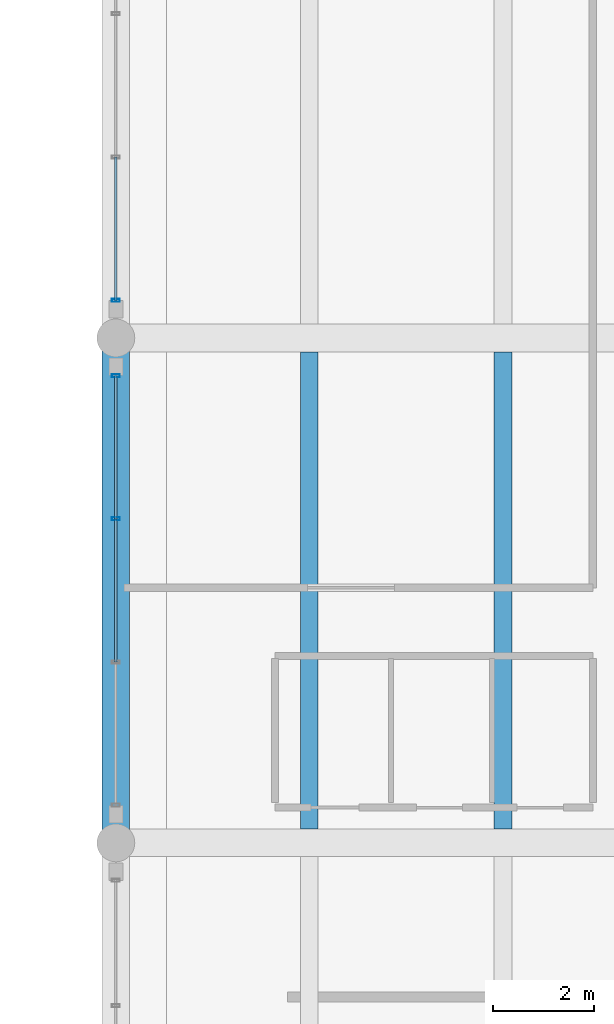
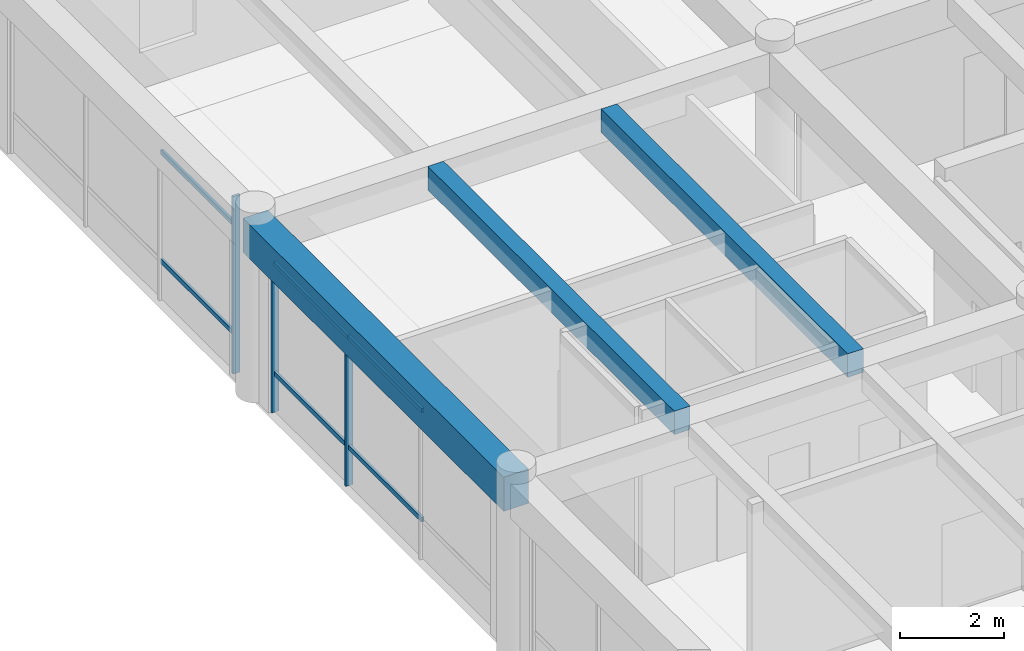
# One storey, part 6 of 27: 9 members, 3 beams, 2 elements without a shape of their own.
"""IFC4 building model written with IfcOpenShell, lengths in metres."""

from ifc_helpers import new_model, si_unit, direction, frame, origin, origin_2d, place, context, subcontext, project, spatial, rectangle, hollow_rectangle, extrude, material, material_profile, profile_set, type_object, element, aggregate, save


model = new_model("IFC4")

# Units and contexts
model_context = context("Model", 3, precision=1e-05, world=origin(), true_north=direction((0.0, 1.0)))
body_context = subcontext(model_context, "Body", "Model", "MODEL_VIEW")
ifc_project = project(units=[si_unit("LENGTHUNIT", "METRE"), si_unit("AREAUNIT", "SQUARE_METRE"), si_unit("VOLUMEUNIT", "CUBIC_METRE"), si_unit("PLANEANGLEUNIT", "RADIAN"), si_unit("MASSUNIT", "GRAM", prefix="KILO")], contexts=[model_context])

# Site, building, storey
site_placement = place(None, origin())
site = spatial("IfcSite", under=ifc_project, at=site_placement, CompositionType="ELEMENT")
building_placement = place(site_placement, origin())
building = spatial("IfcBuilding", under=site, at=building_placement, Name="Ologun Quay Terminus", CompositionType="ELEMENT")
storey_placement = place(building_placement, frame((0.0, 0.0, 22.4599609375)))
storey = spatial("IfcBuildingStorey", under=building, at=storey_placement, Name="L05", CompositionType="ELEMENT", Elevation=22.4599609375)

# Curtain wall, members
ifc_material_1 = material(Name="Aluminium 6063-T6", Category="aluminium")
curtain_wall_type = type_object("IfcCurtainWallType", Name="Operations Wing Canteen Curtain Wall L05 10600x4050", PredefinedType="USERDEFINED", material=ifc_material_1)
curtain_wall_1_placement = place(storey_placement, origin())
curtain_wall_1 = element("IfcCurtainWall", 1, at=curtain_wall_1_placement, inside=storey, type_object=curtain_wall_type, Name="CW-28 Curtain Wall CW-L05-157", ObjectType="UNITISED CURTAIN WALL", PredefinedType="USERDEFINED")
ifc_material_2 = material(Name="Aluminium 6063-T6", Category="aluminium")
ifc_material_profile_1 = material_profile(ifc_material_2, hollow_rectangle(XDim=0.06005859375, YDim=0.159912109375, WallThickness=0.00390625, at=origin_2d()), Name="ALU 160x60x4")
ifc_profile_set_1 = profile_set([ifc_material_profile_1], Name="Aluminium 6063-T6")
member_type_1 = type_object("IfcMemberType", Name="Courtyard Screen Mullion 160x65", PredefinedType="MULLION", material=ifc_profile_set_1)
member_1_placement = place(storey_placement, frame((115.0, 101.21826171875, 0.0), z_axis=(0.0, 0.0, 1.0), x_axis=(0.0, 1.0, 0.0)))
member_1 = element("IfcMember", 2, at=member_1_placement, type_object=member_type_1, Name="CW-L05-157 Mullion 3", PredefinedType="MULLION", context=body_context, shape_type="SweptSolid", body=[
    extrude(hollow_rectangle(XDim=0.06005859375, YDim=0.159912109375, WallThickness=0.00390625, at=origin_2d()), origin(), (0.0, 0.0, 1.0), 4.150146484375),
])
member_2_placement = place(storey_placement, frame((115.0, 104.054931640625, 0.0), z_axis=(0.0, 0.0, 1.0), x_axis=(0.0, 1.0, 0.0)))
member_2 = element("IfcMember", 3, at=member_2_placement, type_object=member_type_1, Name="CW-L05-157 Mullion 4", PredefinedType="MULLION", context=body_context, shape_type="SweptSolid", body=[
    extrude(hollow_rectangle(XDim=0.06005859375, YDim=0.159912109375, WallThickness=0.00390625, at=origin_2d()), origin(), (0.0, 0.0, 1.0), 4.150146484375),
])

# Curtain wall, member
curtain_wall_2_placement = place(storey_placement, origin())
curtain_wall_2 = element("IfcCurtainWall", 4, at=curtain_wall_2_placement, inside=storey, type_object=curtain_wall_type, Name="CW-28 Curtain Wall CW-L05-158", ObjectType="UNITISED CURTAIN WALL", PredefinedType="USERDEFINED")
member_3_placement = place(storey_placement, frame((115.0, 105.544921875, 0.0), z_axis=(0.0, 0.0, 1.0), x_axis=(0.0, 1.0, 0.0)))
member_3 = element("IfcMember", 5, at=member_3_placement, type_object=member_type_1, Name="CW-L05-158 Mullion 1", PredefinedType="MULLION", context=body_context, shape_type="SweptSolid", body=[
    extrude(hollow_rectangle(XDim=0.06005859375, YDim=0.159912109375, WallThickness=0.00390625, at=origin_2d()), origin(), (0.0, 0.0, 1.0), 4.150146484375),
])

# Member
ifc_material_3 = material(Name="Aluminium 6063-T6", Category="aluminium")
ifc_material_profile_2 = material_profile(ifc_material_3, hollow_rectangle(XDim=0.054931640625, YDim=0.110107421875, WallThickness=0.00390625, at=origin_2d()), Name="ALU 110x55x4")
ifc_profile_set_2 = profile_set([ifc_material_profile_2], Name="Aluminium 6063-T6")
member_type_2 = type_object("IfcMemberType", Name="Courtyard Screen Transom 110x55", PredefinedType="USERDEFINED", material=ifc_profile_set_2)
member_4_placement = place(storey_placement, frame((115.0, 98.381591796875, 0.900146484375), z_axis=(0.0, 1.0, 0.0), x_axis=(-1.0, 0.0, 0.0)))
member_4 = element("IfcMember", 6, at=member_4_placement, type_object=member_type_2, Name="CW-L05-157 Transom B2-1", ObjectType="TRANSOM", PredefinedType="USERDEFINED", context=body_context, shape_type="SweptSolid", body=[
    extrude(hollow_rectangle(XDim=0.054931640625, YDim=0.110107421875, WallThickness=0.00390625, at=origin_2d()), origin(), (0.0, 0.0, 1.0), 2.836669921875),
])

member_5_placement = place(storey_placement, frame((115.0, 98.381591796875, 3.449951171875), z_axis=(0.0, 1.0, 0.0), x_axis=(-1.0, 0.0, 0.0)))
member_5 = element("IfcMember", 7, at=member_5_placement, type_object=member_type_2, Name="CW-L05-157 Transom B2-2", ObjectType="TRANSOM", PredefinedType="USERDEFINED", context=body_context, shape_type="SweptSolid", body=[
    extrude(hollow_rectangle(XDim=0.054931640625, YDim=0.110107421875, WallThickness=0.00390625, at=origin_2d()), origin(), (0.0, 0.0, 1.0), 2.836669921875),
])

member_6_placement = place(storey_placement, frame((115.0, 101.21826171875, 0.900146484375), z_axis=(0.0, 1.0, 0.0), x_axis=(-1.0, 0.0, 0.0)))
member_6 = element("IfcMember", 8, at=member_6_placement, type_object=member_type_2, Name="CW-L05-157 Transom B3-1", ObjectType="TRANSOM", PredefinedType="USERDEFINED", context=body_context, shape_type="SweptSolid", body=[
    extrude(hollow_rectangle(XDim=0.054931640625, YDim=0.110107421875, WallThickness=0.00390625, at=origin_2d()), origin(), (0.0, 0.0, 1.0), 2.836669921875),
])

member_7_placement = place(storey_placement, frame((115.0, 101.21826171875, 3.449951171875), z_axis=(0.0, 1.0, 0.0), x_axis=(-1.0, 0.0, 0.0)))
member_7 = element("IfcMember", 9, at=member_7_placement, type_object=member_type_2, Name="CW-L05-157 Transom B3-2", ObjectType="TRANSOM", PredefinedType="USERDEFINED", context=body_context, shape_type="SweptSolid", body=[
    extrude(hollow_rectangle(XDim=0.054931640625, YDim=0.110107421875, WallThickness=0.00390625, at=origin_2d()), origin(), (0.0, 0.0, 1.0), 2.836669921875),
])

aggregate(curtain_wall_1, [member_1, member_2, member_4, member_5, member_6, member_7])

member_8_placement = place(storey_placement, frame((115.0, 105.544921875, 0.900146484375), z_axis=(0.0, 1.0, 0.0), x_axis=(-1.0, 0.0, 0.0)))
member_8 = element("IfcMember", 10, at=member_8_placement, type_object=member_type_2, Name="CW-L05-158 Transom B1-1", ObjectType="TRANSOM", PredefinedType="USERDEFINED", context=body_context, shape_type="SweptSolid", body=[
    extrude(hollow_rectangle(XDim=0.054931640625, YDim=0.110107421875, WallThickness=0.00390625, at=origin_2d()), origin(), (0.0, 0.0, 1.0), 2.836669921875),
])

member_9_placement = place(storey_placement, frame((115.0, 105.544921875, 3.449951171875), z_axis=(0.0, 1.0, 0.0), x_axis=(-1.0, 0.0, 0.0)))
member_9 = element("IfcMember", 11, at=member_9_placement, type_object=member_type_2, Name="CW-L05-158 Transom B1-2", ObjectType="TRANSOM", PredefinedType="USERDEFINED", context=body_context, shape_type="SweptSolid", body=[
    extrude(hollow_rectangle(XDim=0.054931640625, YDim=0.110107421875, WallThickness=0.00390625, at=origin_2d()), origin(), (0.0, 0.0, 1.0), 2.836669921875),
])

aggregate(curtain_wall_2, [member_3, member_8, member_9])

# Beams
ifc_material_4 = material(Name="Concrete C40/50", Category="concrete")
ifc_material_profile_3 = material_profile(ifc_material_4, rectangle(XDim=0.550048828125, YDim=0.800048828125, at=origin_2d()), Name="RC 550x800")
ifc_profile_set_3 = profile_set([ifc_material_profile_3], Name="Concrete C40/50")
beam_type_1 = type_object("IfcBeamType", Name="Courtyard Wing Primary Girder 550x800", PredefinedType="BEAM", material=ifc_profile_set_3)
beam_placement = place(storey_placement, frame((115.0, 94.800048828125, 3.760009765625), z_axis=(0.0, 1.0, 0.0), x_axis=(-1.0, 0.0, 0.0)))
element("IfcBeam", 12, at=beam_placement, inside=storey, type_object=beam_type_1, Name="B4 Beam 11/H L05", PredefinedType="BEAM", context=body_context, shape_type="SweptSolid", body=[
    extrude(rectangle(XDim=0.550048828125, YDim=0.800048828125, at=origin_2d()), origin(), (0.0, 0.0, 1.0), 10.0),
])
ifc_material_5 = material(Name="Concrete C40/50", Category="concrete")
ifc_material_profile_4 = material_profile(ifc_material_5, rectangle(XDim=0.35009765625, YDim=0.550048828125, at=origin_2d()), Name="RC 350x550")
ifc_profile_set_4 = profile_set([ifc_material_profile_4], Name="Concrete C40/50")
beam_type_2 = type_object("IfcBeamType", Name="Courtyard Wing Secondary Joist 350x550", PredefinedType="JOIST", material=ifc_profile_set_4)
for number, where, z_axis, x_axis, name in (
    (13, (118.833251953125, 95.074951171875, 3.885009765625), (0.0, 1.0, 0.0), (-1.0, 0.0, 0.0), "J2 Beam 11/H L05"),
    (14, (122.666748046875, 95.074951171875, 3.885009765625), (0.0, 1.0, 0.0), (-1.0, 0.0, 0.0), "J2 Beam 11/H L05"),
):
    element("IfcBeam", number, at=place(storey_placement, frame(where, z_axis=z_axis, x_axis=x_axis)), inside=storey, type_object=beam_type_2, Name=name, PredefinedType="JOIST", context=body_context, shape_type="SweptSolid", body=[
        extrude(rectangle(XDim=0.35009765625, YDim=0.550048828125, at=origin_2d()), origin(), (0.0, 0.0, 1.0), 9.449951171875),
    ])

save(model, "model.ifc")
